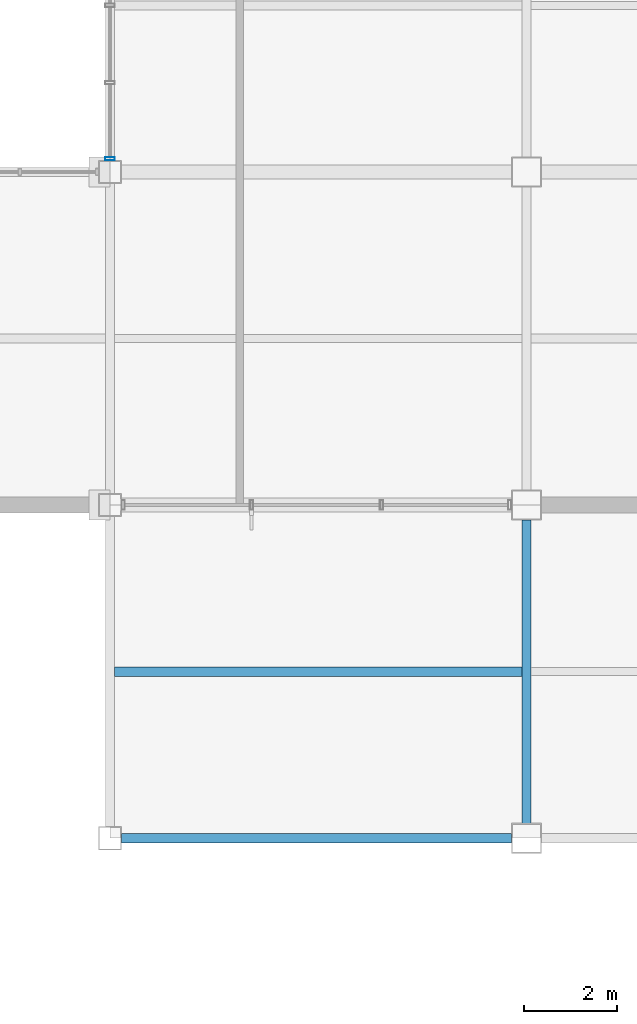
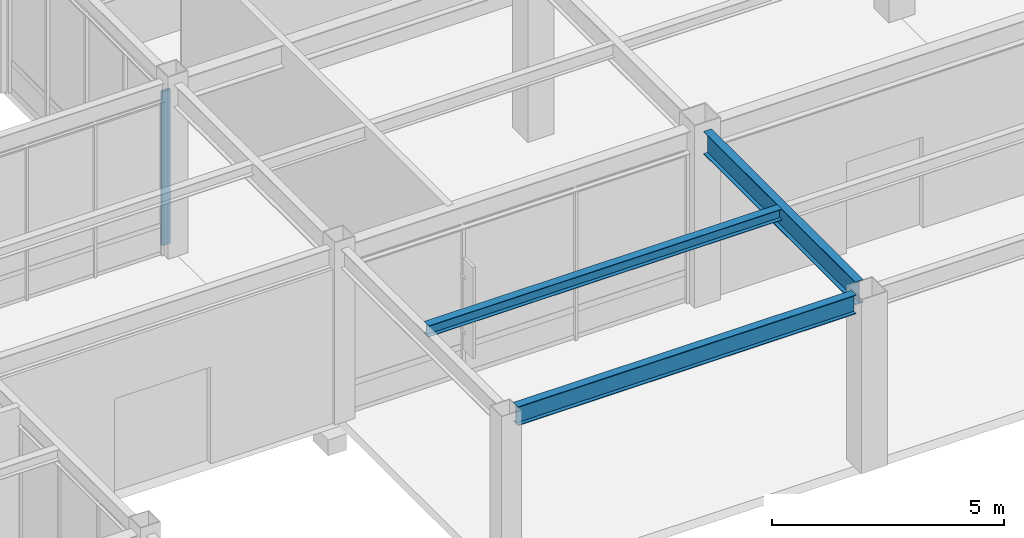
# One storey, part 22 of 112: 3 beams, 1 member, 1 element without a shape of its own.
"""IFC4 building model written with IfcOpenShell, lengths in metres."""

from ifc_helpers import new_model, si_unit, direction, frame, origin, origin_2d, place, context, subcontext, project, spatial, hollow_rectangle, i_section, extrude, material, material_profile, profile_set, type_object, element, aggregate, save


model = new_model("IFC4")

# Units and contexts
model_context = context("Model", 3, precision=1e-05, world=origin(), true_north=direction((0.0, 1.0)))
body_context = subcontext(model_context, "Body", "Model", "MODEL_VIEW")
ifc_project = project(units=[si_unit("LENGTHUNIT", "METRE"), si_unit("AREAUNIT", "SQUARE_METRE"), si_unit("VOLUMEUNIT", "CUBIC_METRE"), si_unit("PLANEANGLEUNIT", "RADIAN"), si_unit("MASSUNIT", "GRAM", prefix="KILO")], contexts=[model_context])

# Site, building, storey
site_placement = place(None, origin())
site = spatial("IfcSite", under=ifc_project, at=site_placement, CompositionType="ELEMENT")
building_placement = place(site_placement, origin())
building = spatial("IfcBuilding", under=site, at=building_placement, Name="Kazanami Central Library", CompositionType="ELEMENT")
storey_placement = place(building_placement, origin())
storey = spatial("IfcBuildingStorey", under=building, at=storey_placement, Name="L01", CompositionType="ELEMENT", Elevation=0.0)

# Beams
ifc_material_1 = material(Name="Steel SN400B (235 MPa)", Category="steel")
ifc_material_profile_1 = material_profile(ifc_material_1, i_section(OverallWidth=0.199951171875, OverallDepth=0.2939453125, WebThickness=0.008056640625, FlangeThickness=0.011962890625, at=origin_2d()), Name="H-294x200x8x12")
ifc_profile_set_1 = profile_set([ifc_material_profile_1], Name="Steel SN400B (235 MPa)")
beam_type_1 = type_object("IfcBeamType", Name="BM-B-S5", PredefinedType="JOIST", material=ifc_profile_set_1)
beam_1_placement = place(storey_placement, frame((45.097900390625, 18.0, 4.43310546875), z_axis=(1.0, 0.0, 0.0), x_axis=(0.0, 1.0, 0.0)))
element("IfcBeam", 1, at=beam_1_placement, inside=storey, type_object=beam_type_1, Name="Composite Secondary Joist B-S5 L01 Bay 6/C.1", PredefinedType="JOIST", context=body_context, shape_type="SweptSolid", body=[
    extrude(i_section(OverallWidth=0.199951171875, OverallDepth=0.2939453125, WebThickness=0.008056640625, FlangeThickness=0.011962890625, at=origin_2d()), origin(), (0.0, 0.0, 1.0), 8.80419921875),
])
ifc_material_2 = material(Name="Steel SN490B (325 MPa)", Category="steel")
ifc_material_profile_2 = material_profile(ifc_material_2, i_section(OverallWidth=0.199951171875, OverallDepth=0.60009765625, WebThickness=0.010986328125, FlangeThickness=0.01708984375, at=origin_2d()), Name="H-600x200x11x17")
ifc_profile_set_2 = profile_set([ifc_material_profile_2], Name="Steel SN490B (325 MPa)")
beam_type_2 = type_object("IfcBeamType", Name="BM-G-Y1", PredefinedType="BEAM", material=ifc_profile_set_2)
beam_2_placement = place(storey_placement, frame((54.0, 14.722900390625, 4.280029296875), z_axis=(0.0, 1.0, 0.0), x_axis=(-1.0, 0.0, 0.0)))
element("IfcBeam", 2, at=beam_2_placement, inside=storey, type_object=beam_type_2, Name="Girder G-Y1 L01 7/C-D", PredefinedType="BEAM", context=body_context, shape_type="SweptSolid", body=[
    extrude(i_section(OverallWidth=0.199951171875, OverallDepth=0.60009765625, WebThickness=0.010986328125, FlangeThickness=0.01708984375, at=origin_2d()), origin(), (0.0, 0.0, 1.0), 6.55419921875),
])
ifc_material_profile_3 = material_profile(ifc_material_2, i_section(OverallWidth=0.199951171875, OverallDepth=0.5, WebThickness=0.010009765625, FlangeThickness=0.01611328125, at=origin_2d()), Name="H-500x200x10x16")
ifc_profile_set_3 = profile_set([ifc_material_profile_3], Name="Steel SN490B (325 MPa)")
beam_type_3 = type_object("IfcBeamType", Name="BM-SP-1", PredefinedType="SPANDREL", material=ifc_profile_set_3)
beam_3_placement = place(storey_placement, frame((45.248046875, 14.39990234375, 4.330078125), z_axis=(1.0, 0.0, 0.0), x_axis=(0.0, 1.0, 0.0)))
element("IfcBeam", 3, at=beam_3_placement, inside=storey, type_object=beam_type_3, Name="Girder SP-1 L01 C/6-7", PredefinedType="SPANDREL", context=body_context, shape_type="SweptSolid", body=[
    extrude(i_section(OverallWidth=0.199951171875, OverallDepth=0.5, WebThickness=0.010009765625, FlangeThickness=0.01611328125, at=origin_2d()), origin(), (0.0, 0.0, 1.0), 8.428955078125),
])

# Curtain wall, member
ifc_material_3 = material(Name="Acid-Etched Low-E Laminated Glass", Category="glass")
curtain_wall_type = type_object("IfcCurtainWallType", Name="CW-6700x4055-M180", PredefinedType="USERDEFINED", material=ifc_material_3)
curtain_wall_placement = place(storey_placement, origin())
curtain_wall = element("IfcCurtainWall", 4, at=curtain_wall_placement, inside=storey, type_object=curtain_wall_type, Name="Covered Link Bridge Curtain Wall CW-09 L01 W-6-04", ObjectType="UNITISED CURTAIN WALL", PredefinedType="USERDEFINED")
ifc_material_4 = material(Name="Anodised Aluminium A6063-T5", Category="aluminium")
ifc_material_profile_4 = material_profile(ifc_material_4, hollow_rectangle(XDim=0.070068359375, YDim=0.2099609375, WallThickness=0.0048828125, at=origin_2d()), Name="ALU-MULL-70x210x5")
ifc_profile_set_4 = profile_set([ifc_material_profile_4], Name="Anodised Aluminium A6063-T5")
member_type = type_object("IfcMemberType", Name="MEM-CW-M1", PredefinedType="MULLION", material=ifc_profile_set_4)
member_placement = place(storey_placement, frame((45.0, 29.0849609375, 0.0), z_axis=(0.0, 0.0, 1.0), x_axis=(0.0, 1.0, 0.0)))
member = element("IfcMember", 5, at=member_placement, type_object=member_type, Name="CW-09 mullion 1", PredefinedType="MULLION", context=body_context, shape_type="SweptSolid", body=[
    extrude(hollow_rectangle(XDim=0.070068359375, YDim=0.2099609375, WallThickness=0.0048828125, at=origin_2d()), origin(), (0.0, 0.0, 1.0), 4.054931640625),
])
aggregate(curtain_wall, [member])

save(model, "model.ifc")
